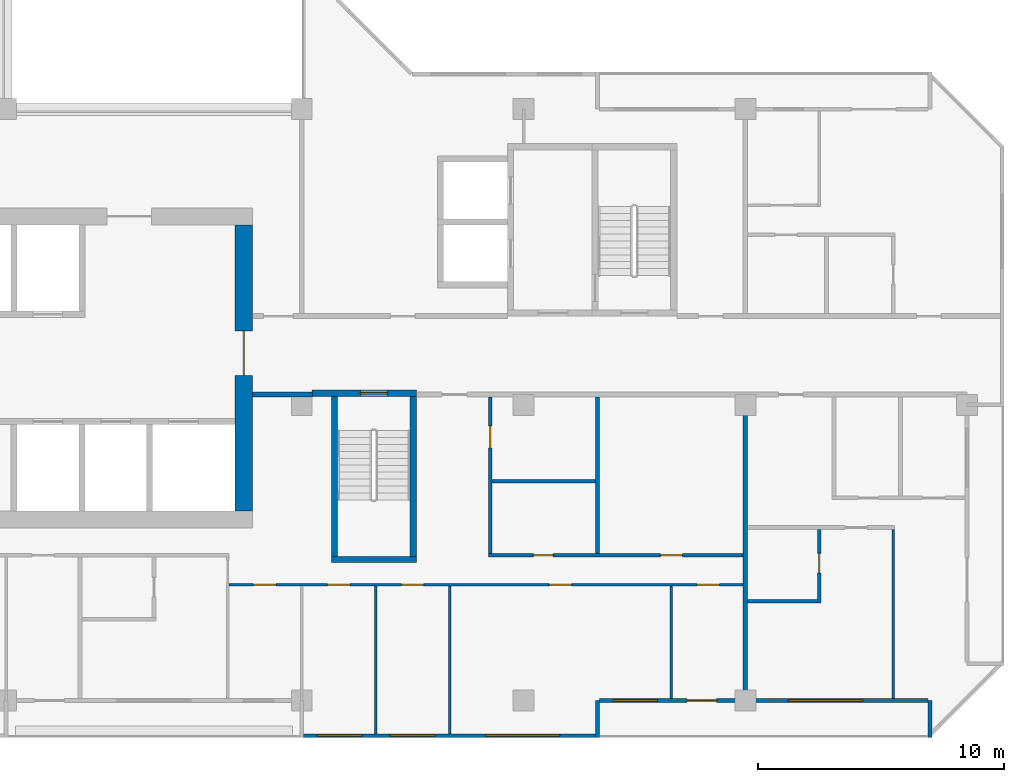
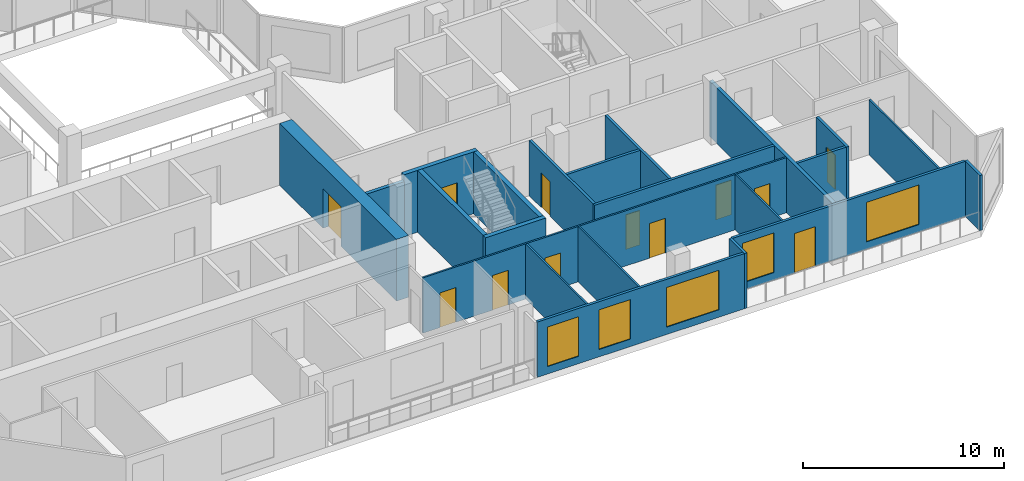
# One storey, part 6 of 14: 22 walls, 12 doors, 5 windows, 17 openings.
"""IFC4 building model written with IfcOpenShell, lengths in metres."""

from ifc_helpers import new_model, si_unit, direction, frame, frame_2d, origin, place, context, subcontext, project, spatial, rectangle, extrude, material, layer, layer_set, type_object, element, fill, save


model = new_model("IFC4")

# Units and contexts
model_context = context("Model", 3, precision=1e-05, world=origin(), true_north=direction((0.0, 1.0)))
body_context = subcontext(model_context, "Body", "Model", "MODEL_VIEW")
ifc_project = project(units=[si_unit("LENGTHUNIT", "METRE"), si_unit("AREAUNIT", "SQUARE_METRE"), si_unit("VOLUMEUNIT", "CUBIC_METRE"), si_unit("PLANEANGLEUNIT", "RADIAN"), si_unit("MASSUNIT", "GRAM", prefix="KILO")], contexts=[model_context])

# Site, building, storey
site_placement = place(None, origin())
site = spatial("IfcSite", under=ifc_project, at=site_placement, CompositionType="ELEMENT")
building_placement = place(site_placement, origin())
building = spatial("IfcBuilding", under=site, at=building_placement, Name="Chenar Terraces", CompositionType="ELEMENT")
storey_placement = place(building_placement, frame((0.0, 0.0, 241.64990234375)))
storey = spatial("IfcBuildingStorey", under=building, at=storey_placement, Name="L57", CompositionType="ELEMENT", Elevation=241.64990234375)

# Wall
ifc_material_1 = material(Name="Concrete C60/75", Category="concrete")
ifc_layer_1 = layer(ifc_material_1, 0.25)
ifc_layer_set_1 = layer_set([ifc_layer_1], Name="Concrete C60/75")
wall_type_1 = type_object("IfcWallType", Name="Core wall 250 Concrete C60/75", PredefinedType="SHEAR", material=ifc_layer_set_1)
wall_1_placement = place(storey_placement, frame((37.199951171875, 5.72509765625, 0.0), z_axis=(0.0, 0.0, 1.0), x_axis=(1.0, 0.0, 0.0)))
element("IfcWall", 1, at=wall_1_placement, inside=storey, type_object=wall_type_1, Name="Core wall ST2_S L57", PredefinedType="SHEAR", context=body_context, shape_type="SweptSolid", body=[
    extrude(rectangle(XDim=3.449951171875, YDim=0.25, at=frame_2d((1.72509765625, 0.0))), origin(), (0.0, 0.0, 1.0), 3.75),
])

# Wall, opening, door
wall_2_placement = place(storey_placement, frame((36.425048828125, 12.47509765625, 0.0), z_axis=(0.0, 0.0, 1.0), x_axis=(1.0, 0.0, 0.0)))
wall_2 = element("IfcWall", 2, at=wall_2_placement, inside=storey, type_object=wall_type_1, Name="Core wall ST2_N L57", PredefinedType="SHEAR", context=body_context, shape_type="SweptSolid", body=[
    extrude(rectangle(XDim=4.224853515625, YDim=0.25, at=frame_2d((2.1123046875, 0.0))), origin(), (0.0, 0.0, 1.0), 3.75),
])
opening_1_placement = place(wall_2_placement, frame((1.949951171875, 0.0, 0.0)))
opening_1 = element("IfcOpeningElement", 3, at=opening_1_placement, cuts=wall_2, Name="Opening DL57-C7", PredefinedType="OPENING", context=body_context, shape_type="SweptSolid", body=[
    extrude(rectangle(XDim=1.10009765625, YDim=2.199951171875, at=frame_2d((0.550048828125, 1.10009765625))), frame((0.0, 0.135009765625, 0.0), z_axis=(0.0, -1.0, 0.0), x_axis=(1.0, 0.0, 0.0)), (0.0, 0.0, 1.0), 0.27001953125),
])
ifc_material_2 = material(Name="Steel-framed fire-resisting door leaf", Category="steel")
door_type_1 = type_object("IfcDoorType", Name="Stair fire door FD60 1100 x 2200", OperationType="SINGLE_SWING_LEFT", PredefinedType="DOOR", material=ifc_material_2)
door_1_placement = place(opening_1_placement, frame((1.10009765625, 0.0, 0.0), z_axis=(0.0, 0.0, 1.0), x_axis=(-1.0, 0.0, 0.0)))
door_1 = element("IfcDoor", 4, at=door_1_placement, inside=storey, type_object=door_type_1, Name="Stair door DL57-C7", OperationType="SINGLE_SWING_LEFT", OverallHeight=2.199951171875, OverallWidth=1.10009765625, PredefinedType="DOOR", context=body_context, shape_type="SweptSolid", body=[
    extrude(rectangle(XDim=1.10009765625, YDim=2.199951171875, at=frame_2d((0.550048828125, 1.10009765625))), frame((0.0, 0.02490234375, 0.0), z_axis=(0.0, -1.0, 0.0), x_axis=(1.0, 0.0, 0.0)), (0.0, 0.0, 1.0), 0.050048828125),
])
fill(opening_1, door_1)

# Walls
for number, where, z_axis, x_axis, name in (
    (5, (37.324951171875, 5.85009765625, 0.0), (0.0, 0.0, 1.0), (0.0, 1.0, 0.0), "Core wall ST2_W L57"),
    (6, (40.52490234375, 5.85009765625, 0.0), (0.0, 0.0, 1.0), (0.0, 1.0, 0.0), "Core wall ST2_E L57"),
):
    element("IfcWall", number, at=place(storey_placement, frame(where, z_axis=z_axis, x_axis=x_axis)), inside=storey, type_object=wall_type_1, Name=name, PredefinedType="SHEAR", context=body_context, shape_type="SweptSolid", body=[
        extrude(rectangle(XDim=6.5, YDim=0.25, at=frame_2d((3.25, 0.0))), origin(), (0.0, 0.0, 1.0), 3.75),
    ])

# Wall, opening, door
ifc_material_3 = material(Name="Concrete C60/75", Category="concrete")
ifc_layer_2 = layer(ifc_material_3, 0.699951171875)
ifc_layer_set_2 = layer_set([ifc_layer_2], Name="Concrete C60/75")
wall_type_2 = type_object("IfcWallType", Name="Core wall 700 Concrete C60/75", PredefinedType="SHEAR", material=ifc_layer_set_2)
wall_3_placement = place(storey_placement, frame((33.64990234375, 7.699951171875, 0.0), z_axis=(0.0, 0.0, 1.0), x_axis=(0.0, 1.0, 0.0)))
wall_3 = element("IfcWall", 7, at=wall_3_placement, inside=storey, type_object=wall_type_2, Name="Core wall E L57", PredefinedType="SHEAR", context=body_context, shape_type="SweptSolid", body=[
    extrude(rectangle(XDim=11.60009765625, YDim=0.699951171875, at=frame_2d((5.800048828125, 0.0))), origin(), (0.0, 0.0, 1.0), 3.75),
])
opening_2_placement = place(wall_3_placement, frame((5.5, 0.0, 0.0)))
opening_2 = element("IfcOpeningElement", 8, at=opening_2_placement, cuts=wall_3, Name="Opening DL57-C1", PredefinedType="OPENING", context=body_context, shape_type="SweptSolid", body=[
    extrude(rectangle(XDim=1.800048828125, YDim=2.39990234375, at=frame_2d((0.89990234375, 1.199951171875))), frame((0.0, 0.35986328125, 0.0), z_axis=(0.0, -1.0, 0.0), x_axis=(1.0, 0.0, 0.0)), (0.0, 0.0, 1.0), 0.719970703125),
])
ifc_material_4 = material(Name="Steel-framed fire-resisting door leaf", Category="steel")
door_type_2 = type_object("IfcDoorType", Name="Core entrance double fire door FD60 1800 x 2400", OperationType="DOUBLE_DOOR_SINGLE_SWING", PredefinedType="DOOR", material=ifc_material_4)
door_2_placement = place(opening_2_placement, origin())
door_2 = element("IfcDoor", 9, at=door_2_placement, inside=storey, type_object=door_type_2, Name="Core door DL57-C1", OperationType="DOUBLE_DOOR_SINGLE_SWING", OverallHeight=2.39990234375, OverallWidth=1.800048828125, PredefinedType="DOOR", context=body_context, shape_type="SweptSolid", body=[
    extrude(rectangle(XDim=1.800048828125, YDim=2.39990234375, at=frame_2d((0.89990234375, 1.199951171875))), frame((0.0, 0.02490234375, 0.0), z_axis=(0.0, -1.0, 0.0), x_axis=(1.0, 0.0, 0.0)), (0.0, 0.0, 1.0), 0.050048828125),
])
fill(opening_2, door_2)

# Wall
ifc_material_5 = material(Name="Gypsum board on steel studs with fire boards", Category="steel")
ifc_layer_3 = layer(ifc_material_5, 0.199951171875)
ifc_layer_set_3 = layer_set([ifc_layer_3], Name="Gypsum board on steel studs with fire boards")
wall_type_3 = type_object("IfcWallType", Name="Corridor wall 200", PredefinedType="PARTITIONING", material=ifc_layer_set_3)
wall_4_placement = place(storey_placement, frame((34.0, 12.425048828125, 0.0), z_axis=(0.0, 0.0, 1.0), x_axis=(1.0, 0.0, 0.0)))
element("IfcWall", 10, at=wall_4_placement, inside=storey, type_object=wall_type_3, Name="Partition L57-065", PredefinedType="PARTITIONING", context=body_context, shape_type="SweptSolid", body=[
    extrude(rectangle(XDim=2.426025390625, YDim=0.199951171875, at=frame_2d((1.212890625, 0.0))), origin(), (0.0, 0.0, 1.0), 3.35009765625),
])

# Wall, openings, windows
ifc_material_6 = material(Name="Aluminium framed glazing", Category="aluminium")
ifc_layer_4 = layer(ifc_material_6, 0.14990234375)
ifc_layer_set_4 = layer_set([ifc_layer_4], Name="Aluminium framed glazing")
wall_type_4 = type_object("IfcWallType", Name="Glazed flush facade wall 150", PredefinedType="SOLIDWALL", material=ifc_layer_set_4)
wall_5_placement = place(storey_placement, frame((36.074951171875, -1.425048828125, 0.0), z_axis=(0.0, 0.0, 1.0), x_axis=(1.0, 0.0, 0.0)))
wall_5 = element("IfcWall", 11, at=wall_5_placement, inside=storey, type_object=wall_type_4, Name="Glazed flush facade wall", PredefinedType="SOLIDWALL", context=body_context, shape_type="SweptSolid", body=[
    extrude(rectangle(XDim=11.85009765625, YDim=0.14990234375, at=frame_2d((5.925048828125, 0.0))), origin(), (0.0, 0.0, 1.0), 3.35009765625),
])
opening_3_placement = place(wall_5_placement, frame((0.5625, 0.0, 0.449951171875)))
opening_3 = element("IfcOpeningElement", 12, at=opening_3_placement, cuts=wall_5, Name="Opening W180x240", PredefinedType="OPENING", context=body_context, shape_type="SweptSolid", body=[
    extrude(rectangle(XDim=1.800048828125, YDim=2.39990234375, at=frame_2d((0.89990234375, 1.199951171875))), frame((0.0, 0.0849609375, 0.0), z_axis=(0.0, -1.0, 0.0), x_axis=(1.0, 0.0, 0.0)), (0.0, 0.0, 1.0), 0.169921875),
])
opening_4_placement = place(wall_5_placement, frame((3.52490234375, 0.0, 0.449951171875)))
opening_4 = element("IfcOpeningElement", 13, at=opening_4_placement, cuts=wall_5, Name="Opening W180x240", PredefinedType="OPENING", context=body_context, shape_type="SweptSolid", body=[
    extrude(rectangle(XDim=1.800048828125, YDim=2.39990234375, at=frame_2d((0.89990234375, 1.199951171875))), frame((0.0, 0.0849609375, 0.0), z_axis=(0.0, -1.0, 0.0), x_axis=(1.0, 0.0, 0.0)), (0.0, 0.0, 1.0), 0.169921875),
])
opening_5_placement = place(wall_5_placement, frame((7.387451171875, 0.0, 0.449951171875)))
opening_5 = element("IfcOpeningElement", 14, at=opening_5_placement, cuts=wall_5, Name="Opening W300x240", PredefinedType="OPENING", context=body_context, shape_type="SweptSolid", body=[
    extrude(rectangle(XDim=3.0, YDim=2.39990234375, at=frame_2d((1.5, 1.199951171875))), frame((0.0, 0.0849609375, 0.0), z_axis=(0.0, -1.0, 0.0), x_axis=(1.0, 0.0, 0.0)), (0.0, 0.0, 1.0), 0.169921875),
])
ifc_material_7 = material(Name="Low emissivity double glazing, aluminium frame", Category="aluminium")
window_type_1 = type_object("IfcWindowType", Name="Fixed light 1800 x 2400", PartitioningType="SINGLE_PANEL", PredefinedType="WINDOW", material=ifc_material_7)
window_1_placement = place(opening_3_placement, origin())
window_1 = element("IfcWindow", 15, at=window_1_placement, inside=storey, type_object=window_type_1, Name="Window", OverallHeight=2.39990234375, OverallWidth=1.800048828125, PartitioningType="SINGLE_PANEL", PredefinedType="WINDOW", context=body_context, shape_type="SweptSolid", body=[
    extrude(rectangle(XDim=1.800048828125, YDim=2.39990234375, at=frame_2d((0.89990234375, 1.199951171875))), frame((0.0, 0.030029296875, 0.0), z_axis=(0.0, -1.0, 0.0), x_axis=(1.0, 0.0, 0.0)), (0.0, 0.0, 1.0), 0.06005859375),
])
fill(opening_3, window_1)
window_2_placement = place(opening_4_placement, origin())
window_2 = element("IfcWindow", 16, at=window_2_placement, inside=storey, type_object=window_type_1, Name="Window", OverallHeight=2.39990234375, OverallWidth=1.800048828125, PartitioningType="SINGLE_PANEL", PredefinedType="WINDOW", context=body_context, shape_type="SweptSolid", body=[
    extrude(rectangle(XDim=1.800048828125, YDim=2.39990234375, at=frame_2d((0.89990234375, 1.199951171875))), frame((0.0, 0.030029296875, 0.0), z_axis=(0.0, -1.0, 0.0), x_axis=(1.0, 0.0, 0.0)), (0.0, 0.0, 1.0), 0.06005859375),
])
fill(opening_4, window_2)
ifc_material_8 = material(Name="Low emissivity double glazing, aluminium frame", Category="aluminium")
window_type_2 = type_object("IfcWindowType", Name="Fixed light 3000 x 2400", PartitioningType="SINGLE_PANEL", PredefinedType="WINDOW", material=ifc_material_8)
window_3_placement = place(opening_5_placement, origin())
window_3 = element("IfcWindow", 17, at=window_3_placement, inside=storey, type_object=window_type_2, Name="Window", OverallHeight=2.39990234375, OverallWidth=3.0, PartitioningType="SINGLE_PANEL", PredefinedType="WINDOW", context=body_context, shape_type="SweptSolid", body=[
    extrude(rectangle(XDim=3.0, YDim=2.39990234375, at=frame_2d((1.5, 1.199951171875))), frame((0.0, 0.030029296875, 0.0), z_axis=(0.0, -1.0, 0.0), x_axis=(1.0, 0.0, 0.0)), (0.0, 0.0, 1.0), 0.06005859375),
])
fill(opening_5, window_3)

# Wall, openings, windows, door
ifc_material_9 = material(Name="Aluminium framed glazing", Category="aluminium")
ifc_layer_5 = layer(ifc_material_9, 0.14990234375)
ifc_layer_set_5 = layer_set([ifc_layer_5], Name="Aluminium framed glazing")
wall_type_5 = type_object("IfcWallType", Name="Glazed loggia back wall 150", PredefinedType="SOLIDWALL", material=ifc_layer_set_5)
wall_6_placement = place(storey_placement, frame((48.074951171875, 0.0, 0.0), z_axis=(0.0, 0.0, 1.0), x_axis=(1.0, 0.0, 0.0)))
wall_6 = element("IfcWall", 18, at=wall_6_placement, inside=storey, type_object=wall_type_5, Name="Glazed loggia back wall", PredefinedType="SOLIDWALL", context=body_context, shape_type="SweptSolid", body=[
    extrude(rectangle(XDim=13.35009765625, YDim=0.14990234375, at=frame_2d((6.675048828125, 0.0))), origin(), (0.0, 0.0, 1.0), 3.35009765625),
])
opening_6_placement = place(wall_6_placement, frame((0.5625, 0.0, 0.449951171875)))
opening_6 = element("IfcOpeningElement", 19, at=opening_6_placement, cuts=wall_6, Name="Opening W180x240", PredefinedType="OPENING", context=body_context, shape_type="SweptSolid", body=[
    extrude(rectangle(XDim=1.800048828125, YDim=2.39990234375, at=frame_2d((0.89990234375, 1.199951171875))), frame((0.0, 0.0849609375, 0.0), z_axis=(0.0, -1.0, 0.0), x_axis=(1.0, 0.0, 0.0)), (0.0, 0.0, 1.0), 0.169921875),
])
opening_7_placement = place(wall_6_placement, frame((3.5625, 0.0, 0.0)))
opening_7 = element("IfcOpeningElement", 20, at=opening_7_placement, cuts=wall_6, Name="Opening DL57-G7", PredefinedType="OPENING", context=body_context, shape_type="SweptSolid", body=[
    extrude(rectangle(XDim=1.199951171875, YDim=2.39990234375, at=frame_2d((0.60009765625, 1.199951171875))), frame((0.0, 0.0849609375, 0.0), z_axis=(0.0, -1.0, 0.0), x_axis=(1.0, 0.0, 0.0)), (0.0, 0.0, 1.0), 0.169921875),
])
opening_8_placement = place(wall_6_placement, frame((7.6875, 0.0, 0.449951171875)))
opening_8 = element("IfcOpeningElement", 21, at=opening_8_placement, cuts=wall_6, Name="Opening W300x240", PredefinedType="OPENING", context=body_context, shape_type="SweptSolid", body=[
    extrude(rectangle(XDim=3.0, YDim=2.39990234375, at=frame_2d((1.5, 1.199951171875))), frame((0.0, 0.0849609375, 0.0), z_axis=(0.0, -1.0, 0.0), x_axis=(1.0, 0.0, 0.0)), (0.0, 0.0, 1.0), 0.169921875),
])
window_4_placement = place(opening_6_placement, origin())
window_4 = element("IfcWindow", 22, at=window_4_placement, inside=storey, type_object=window_type_1, Name="Window", OverallHeight=2.39990234375, OverallWidth=1.800048828125, PartitioningType="SINGLE_PANEL", PredefinedType="WINDOW", context=body_context, shape_type="SweptSolid", body=[
    extrude(rectangle(XDim=1.800048828125, YDim=2.39990234375, at=frame_2d((0.89990234375, 1.199951171875))), frame((0.0, 0.030029296875, 0.0), z_axis=(0.0, -1.0, 0.0), x_axis=(1.0, 0.0, 0.0)), (0.0, 0.0, 1.0), 0.06005859375),
])
fill(opening_6, window_4)
window_5_placement = place(opening_8_placement, origin())
window_5 = element("IfcWindow", 23, at=window_5_placement, inside=storey, type_object=window_type_2, Name="Window", OverallHeight=2.39990234375, OverallWidth=3.0, PartitioningType="SINGLE_PANEL", PredefinedType="WINDOW", context=body_context, shape_type="SweptSolid", body=[
    extrude(rectangle(XDim=3.0, YDim=2.39990234375, at=frame_2d((1.5, 1.199951171875))), frame((0.0, 0.030029296875, 0.0), z_axis=(0.0, -1.0, 0.0), x_axis=(1.0, 0.0, 0.0)), (0.0, 0.0, 1.0), 0.06005859375),
])
fill(opening_8, window_5)
ifc_material_10 = material(Name="Low emissivity double glazing, aluminium frame", Category="aluminium")
door_type_3 = type_object("IfcDoorType", Name="Loggia glazed double door 1200 x 2400", OperationType="DOUBLE_DOOR_SINGLE_SWING", PredefinedType="DOOR", material=ifc_material_10)
door_3_placement = place(opening_7_placement, frame((1.199951171875, 0.0, 0.0), z_axis=(0.0, 0.0, 1.0), x_axis=(-1.0, 0.0, 0.0)))
door_3 = element("IfcDoor", 24, at=door_3_placement, inside=storey, type_object=door_type_3, Name="Loggia glazed door", OperationType="DOUBLE_DOOR_SINGLE_SWING", OverallHeight=2.39990234375, OverallWidth=1.199951171875, PredefinedType="DOOR", context=body_context, shape_type="SweptSolid", body=[
    extrude(rectangle(XDim=1.199951171875, YDim=2.39990234375, at=frame_2d((0.60009765625, 1.199951171875))), frame((0.0, 0.02490234375, 0.0), z_axis=(0.0, -1.0, 0.0), x_axis=(1.0, 0.0, 0.0)), (0.0, 0.0, 1.0), 0.050048828125),
])
fill(opening_7, door_3)

# Wall, openings, doors
ifc_material_11 = material(Name="Gypsum board on steel studs", Category="steel")
ifc_layer_6 = layer(ifc_material_11, 0.10009765625)
ifc_layer_set_6 = layer_set([ifc_layer_6], Name="Gypsum board on steel studs")
wall_type_6 = type_object("IfcWallType", Name="Gypsum partition 100", PredefinedType="PARTITIONING", material=ifc_layer_set_6)
wall_7_placement = place(storey_placement, frame((33.050048828125, 4.699951171875, 0.0), z_axis=(0.0, 0.0, 1.0), x_axis=(1.0, 0.0, 0.0)))
wall_7 = element("IfcWall", 25, at=wall_7_placement, inside=storey, type_object=wall_type_6, Name="Partition L57-064", PredefinedType="PARTITIONING", context=body_context, shape_type="SweptSolid", body=[
    extrude(rectangle(XDim=20.849853515625, YDim=0.10009765625, at=frame_2d((10.4248046875, 0.0))), origin(), (0.0, 0.0, 1.0), 3.35009765625),
])
opening_9_placement = place(wall_7_placement, frame((1.0, 0.0, 0.0)))
opening_9 = element("IfcOpeningElement", 26, at=opening_9_placement, cuts=wall_7, Name="Opening DL57-45", PredefinedType="OPENING", context=body_context, shape_type="SweptSolid", body=[
    extrude(rectangle(XDim=0.89990234375, YDim=2.10009765625, at=frame_2d((0.449951171875, 1.050048828125))), frame((0.0, 0.06005859375, 0.0), z_axis=(0.0, -1.0, 0.0), x_axis=(1.0, 0.0, 0.0)), (0.0, 0.0, 1.0), 0.1201171875),
])
opening_10_placement = place(wall_7_placement, frame((4.0, 0.0, 0.0)))
opening_10 = element("IfcOpeningElement", 27, at=opening_10_placement, cuts=wall_7, Name="Opening DL57-46", PredefinedType="OPENING", context=body_context, shape_type="SweptSolid", body=[
    extrude(rectangle(XDim=0.89990234375, YDim=2.10009765625, at=frame_2d((0.449951171875, 1.050048828125))), frame((0.0, 0.06005859375, 0.0), z_axis=(0.0, -1.0, 0.0), x_axis=(1.0, 0.0, 0.0)), (0.0, 0.0, 1.0), 0.1201171875),
])
opening_11_placement = place(wall_7_placement, frame((7.0, 0.0, 0.0)))
opening_11 = element("IfcOpeningElement", 28, at=opening_11_placement, cuts=wall_7, Name="Opening DL57-47", PredefinedType="OPENING", context=body_context, shape_type="SweptSolid", body=[
    extrude(rectangle(XDim=0.89990234375, YDim=2.10009765625, at=frame_2d((0.449951171875, 1.050048828125))), frame((0.0, 0.06005859375, 0.0), z_axis=(0.0, -1.0, 0.0), x_axis=(1.0, 0.0, 0.0)), (0.0, 0.0, 1.0), 0.1201171875),
])
opening_12_placement = place(wall_7_placement, frame((19.0, 0.0, 0.0)))
opening_12 = element("IfcOpeningElement", 29, at=opening_12_placement, cuts=wall_7, Name="Opening DL57-48", PredefinedType="OPENING", context=body_context, shape_type="SweptSolid", body=[
    extrude(rectangle(XDim=0.89990234375, YDim=2.10009765625, at=frame_2d((0.449951171875, 1.050048828125))), frame((0.0, 0.06005859375, 0.0), z_axis=(0.0, -1.0, 0.0), x_axis=(1.0, 0.0, 0.0)), (0.0, 0.0, 1.0), 0.1201171875),
])
opening_13_placement = place(wall_7_placement, frame((13.0, 0.0, 0.0)))
opening_13 = element("IfcOpeningElement", 30, at=opening_13_placement, cuts=wall_7, Name="Opening DL57-56", PredefinedType="OPENING", context=body_context, shape_type="SweptSolid", body=[
    extrude(rectangle(XDim=0.89990234375, YDim=2.10009765625, at=frame_2d((0.449951171875, 1.050048828125))), frame((0.0, 0.06005859375, 0.0), z_axis=(0.0, -1.0, 0.0), x_axis=(1.0, 0.0, 0.0)), (0.0, 0.0, 1.0), 0.1201171875),
])
ifc_material_12 = material(Name="Veneered timber door leaf", Category="wood")
door_type_4 = type_object("IfcDoorType", Name="Door 900 x 2100", OperationType="SINGLE_SWING_LEFT", PredefinedType="DOOR", material=ifc_material_12)
door_4_placement = place(opening_9_placement, frame((0.89990234375, 0.0, 0.0), z_axis=(0.0, 0.0, 1.0), x_axis=(-1.0, 0.0, 0.0)))
door_4 = element("IfcDoor", 31, at=door_4_placement, inside=storey, type_object=door_type_4, Name="Door DL57-45", OperationType="SINGLE_SWING_LEFT", OverallHeight=2.10009765625, OverallWidth=0.89990234375, PredefinedType="DOOR", context=body_context, shape_type="SweptSolid", body=[
    extrude(rectangle(XDim=0.89990234375, YDim=2.10009765625, at=frame_2d((0.449951171875, 1.050048828125))), frame((0.0, 0.02490234375, 0.0), z_axis=(0.0, -1.0, 0.0), x_axis=(1.0, 0.0, 0.0)), (0.0, 0.0, 1.0), 0.050048828125),
])
fill(opening_9, door_4)
door_5_placement = place(opening_10_placement, frame((0.89990234375, 0.0, 0.0), z_axis=(0.0, 0.0, 1.0), x_axis=(-1.0, 0.0, 0.0)))
door_5 = element("IfcDoor", 32, at=door_5_placement, inside=storey, type_object=door_type_4, Name="Door DL57-46", OperationType="SINGLE_SWING_LEFT", OverallHeight=2.10009765625, OverallWidth=0.89990234375, PredefinedType="DOOR", context=body_context, shape_type="SweptSolid", body=[
    extrude(rectangle(XDim=0.89990234375, YDim=2.10009765625, at=frame_2d((0.449951171875, 1.050048828125))), frame((0.0, 0.02490234375, 0.0), z_axis=(0.0, -1.0, 0.0), x_axis=(1.0, 0.0, 0.0)), (0.0, 0.0, 1.0), 0.050048828125),
])
fill(opening_10, door_5)
door_6_placement = place(opening_11_placement, frame((0.89990234375, 0.0, 0.0), z_axis=(0.0, 0.0, 1.0), x_axis=(-1.0, 0.0, 0.0)))
door_6 = element("IfcDoor", 33, at=door_6_placement, inside=storey, type_object=door_type_4, Name="Door DL57-47", OperationType="SINGLE_SWING_LEFT", OverallHeight=2.10009765625, OverallWidth=0.89990234375, PredefinedType="DOOR", context=body_context, shape_type="SweptSolid", body=[
    extrude(rectangle(XDim=0.89990234375, YDim=2.10009765625, at=frame_2d((0.449951171875, 1.050048828125))), frame((0.0, 0.02490234375, 0.0), z_axis=(0.0, -1.0, 0.0), x_axis=(1.0, 0.0, 0.0)), (0.0, 0.0, 1.0), 0.050048828125),
])
fill(opening_11, door_6)
door_7_placement = place(opening_12_placement, frame((0.89990234375, 0.0, 0.0), z_axis=(0.0, 0.0, 1.0), x_axis=(-1.0, 0.0, 0.0)))
door_7 = element("IfcDoor", 34, at=door_7_placement, inside=storey, type_object=door_type_4, Name="Door DL57-48", OperationType="SINGLE_SWING_LEFT", OverallHeight=2.10009765625, OverallWidth=0.89990234375, PredefinedType="DOOR", context=body_context, shape_type="SweptSolid", body=[
    extrude(rectangle(XDim=0.89990234375, YDim=2.10009765625, at=frame_2d((0.449951171875, 1.050048828125))), frame((0.0, 0.02490234375, 0.0), z_axis=(0.0, -1.0, 0.0), x_axis=(1.0, 0.0, 0.0)), (0.0, 0.0, 1.0), 0.050048828125),
])
fill(opening_12, door_7)
door_8_placement = place(opening_13_placement, frame((0.89990234375, 0.0, 0.0), z_axis=(0.0, 0.0, 1.0), x_axis=(-1.0, 0.0, 0.0)))
door_8 = element("IfcDoor", 35, at=door_8_placement, inside=storey, type_object=door_type_4, Name="Door DL57-56", OperationType="SINGLE_SWING_LEFT", OverallHeight=2.10009765625, OverallWidth=0.89990234375, PredefinedType="DOOR", context=body_context, shape_type="SweptSolid", body=[
    extrude(rectangle(XDim=0.89990234375, YDim=2.10009765625, at=frame_2d((0.449951171875, 1.050048828125))), frame((0.0, 0.02490234375, 0.0), z_axis=(0.0, -1.0, 0.0), x_axis=(1.0, 0.0, 0.0)), (0.0, 0.0, 1.0), 0.050048828125),
])
fill(opening_13, door_8)

# Walls
wall_8_placement = place(storey_placement, frame((39.0, -1.35107421875, 0.0), z_axis=(0.0, 0.0, 1.0), x_axis=(0.0, 1.0, 0.0)))
element("IfcWall", 36, at=wall_8_placement, inside=storey, type_object=wall_type_6, Name="Partition L57-069", PredefinedType="PARTITIONING", context=body_context, shape_type="SweptSolid", body=[
    extrude(rectangle(XDim=6.0009765625, YDim=0.10009765625, at=frame_2d((3.00048828125, 0.0))), origin(), (0.0, 0.0, 1.0), 3.35009765625),
])
wall_9_placement = place(storey_placement, frame((42.0, -1.35009765625, 0.0), z_axis=(0.0, 0.0, 1.0), x_axis=(0.0, 1.0, 0.0)))
element("IfcWall", 37, at=wall_9_placement, inside=storey, type_object=wall_type_6, Name="Partition L57-071", PredefinedType="PARTITIONING", context=body_context, shape_type="SweptSolid", body=[
    extrude(rectangle(XDim=6.0, YDim=0.10009765625, at=frame_2d((3.0, 0.0))), origin(), (0.0, 0.0, 1.0), 3.35009765625),
])
wall_10_placement = place(storey_placement, frame((51.0, 0.073974609375, 0.0), z_axis=(0.0, 0.0, 1.0), x_axis=(0.0, 1.0, 0.0)))
element("IfcWall", 38, at=wall_10_placement, inside=storey, type_object=wall_type_6, Name="Partition L57-077", PredefinedType="PARTITIONING", context=body_context, shape_type="SweptSolid", body=[
    extrude(rectangle(XDim=4.575927734375, YDim=0.10009765625, at=frame_2d((2.2880859375, 0.0))), origin(), (0.0, 0.0, 1.0), 3.35009765625),
])
wall_11_placement = place(storey_placement, frame((60.0, 0.073974609375, 0.0), z_axis=(0.0, 0.0, 1.0), x_axis=(0.0, 1.0, 0.0)))
element("IfcWall", 39, at=wall_11_placement, inside=storey, type_object=wall_type_6, Name="Partition L57-090", PredefinedType="PARTITIONING", context=body_context, shape_type="SweptSolid", body=[
    extrude(rectangle(XDim=6.8759765625, YDim=0.10009765625, at=frame_2d((3.43798828125, 0.0))), origin(), (0.0, 0.0, 1.0), 3.35009765625),
])
ifc_material_13 = material(Name="Terracotta cladding on insulated backing", Category="masonry")
ifc_layer_7 = layer(ifc_material_13, 0.14990234375)
ifc_layer_set_7 = layer_set([ifc_layer_7], Name="Terracotta cladding on insulated backing")
wall_type_7 = type_object("IfcWallType", Name="Loggia return wall 150", PredefinedType="SOLIDWALL", material=ifc_layer_set_7)
for number, where, z_axis, x_axis, name in (
    (40, (48.0, -1.5, 0.0), (0.0, 0.0, 1.0), (0.0, 1.0, 0.0), "Loggia return wall"),
    (41, (61.5, -1.5, 0.0), (0.0, 0.0, 1.0), (0.0, 1.0, 0.0), "Loggia return wall"),
):
    element("IfcWall", number, at=place(storey_placement, frame(where, z_axis=z_axis, x_axis=x_axis)), inside=storey, type_object=wall_type_7, Name=name, PredefinedType="SOLIDWALL", context=body_context, shape_type="SweptSolid", body=[
        extrude(rectangle(XDim=1.5, YDim=0.14990234375, at=frame_2d((0.75, 0.0))), origin(), (0.0, 0.0, 1.0), 3.35009765625),
    ])
ifc_material_14 = material(Name="Twin gypsum board on steel studs with mineral wool", Category="steel")
ifc_layer_8 = layer(ifc_material_14, 0.199951171875)
ifc_layer_set_8 = layer_set([ifc_layer_8], Name="Twin gypsum board on steel studs with mineral wool")
wall_type_8 = type_object("IfcWallType", Name="Unit demising wall 200", PredefinedType="PARTITIONING", material=ifc_layer_set_8)
wall_12_placement = place(storey_placement, frame((54.0, 0.073974609375, 0.0), z_axis=(0.0, 0.0, 1.0), x_axis=(0.0, 1.0, 0.0)))
element("IfcWall", 42, at=wall_12_placement, inside=storey, type_object=wall_type_8, Name="Partition L57-079", PredefinedType="PARTITIONING", context=body_context, shape_type="SweptSolid", body=[
    extrude(rectangle(XDim=12.2509765625, YDim=0.199951171875, at=frame_2d((6.12548828125, 0.0))), origin(), (0.0, 0.0, 1.0), 3.35009765625),
])

# Wall, openings, doors
ifc_material_15 = material(Name="Moisture-resistant gypsum board on steel studs", Category="steel")
ifc_layer_9 = layer(ifc_material_15, 0.14990234375)
ifc_layer_set_9 = layer_set([ifc_layer_9], Name="Moisture-resistant gypsum board on steel studs")
wall_type_9 = type_object("IfcWallType", Name="Wet-room partition 150", PredefinedType="PARTITIONING", material=ifc_layer_set_9)
wall_13_placement = place(storey_placement, frame((43.574951171875, 5.89990234375, 0.0), z_axis=(0.0, 0.0, 1.0), x_axis=(1.0, 0.0, 0.0)))
wall_13 = element("IfcWall", 43, at=wall_13_placement, inside=storey, type_object=wall_type_9, Name="Partition L57-072", PredefinedType="PARTITIONING", context=body_context, shape_type="SweptSolid", body=[
    extrude(rectangle(XDim=10.324951171875, YDim=0.14990234375, at=frame_2d((5.16259765625, 0.0))), origin(), (0.0, 0.0, 1.0), 3.35009765625),
])
opening_14_placement = place(wall_13_placement, frame((1.824951171875, 0.0, 0.0)))
opening_14 = element("IfcOpeningElement", 44, at=opening_14_placement, cuts=wall_13, Name="Opening DL57-42", PredefinedType="OPENING", context=body_context, shape_type="SweptSolid", body=[
    extrude(rectangle(XDim=0.800048828125, YDim=2.10009765625, at=frame_2d((0.39990234375, 1.050048828125))), frame((0.0, 0.0849609375, 0.0), z_axis=(0.0, -1.0, 0.0), x_axis=(1.0, 0.0, 0.0)), (0.0, 0.0, 1.0), 0.169921875),
])
opening_15_placement = place(wall_13_placement, frame((6.97509765625, 0.0, 0.0)))
opening_15 = element("IfcOpeningElement", 45, at=opening_15_placement, cuts=wall_13, Name="Opening DL57-57", PredefinedType="OPENING", context=body_context, shape_type="SweptSolid", body=[
    extrude(rectangle(XDim=0.89990234375, YDim=2.10009765625, at=frame_2d((0.449951171875, 1.050048828125))), frame((0.0, 0.0849609375, 0.0), z_axis=(0.0, -1.0, 0.0), x_axis=(1.0, 0.0, 0.0)), (0.0, 0.0, 1.0), 0.169921875),
])
ifc_material_16 = material(Name="Veneered timber door leaf", Category="wood")
door_type_5 = type_object("IfcDoorType", Name="Door 800 x 2100", OperationType="SINGLE_SWING_LEFT", PredefinedType="DOOR", material=ifc_material_16)
door_9_placement = place(opening_14_placement, origin())
door_9 = element("IfcDoor", 46, at=door_9_placement, inside=storey, type_object=door_type_5, Name="Door DL57-42", OperationType="SINGLE_SWING_RIGHT", OverallHeight=2.10009765625, OverallWidth=0.800048828125, PredefinedType="DOOR", context=body_context, shape_type="SweptSolid", body=[
    extrude(rectangle(XDim=0.800048828125, YDim=2.10009765625, at=frame_2d((0.39990234375, 1.050048828125))), frame((0.0, 0.02490234375, 0.0), z_axis=(0.0, -1.0, 0.0), x_axis=(1.0, 0.0, 0.0)), (0.0, 0.0, 1.0), 0.050048828125),
])
fill(opening_14, door_9)
door_10_placement = place(opening_15_placement, origin())
door_10 = element("IfcDoor", 47, at=door_10_placement, inside=storey, type_object=door_type_4, Name="Door DL57-57", OperationType="SINGLE_SWING_RIGHT", OverallHeight=2.10009765625, OverallWidth=0.89990234375, PredefinedType="DOOR", context=body_context, shape_type="SweptSolid", body=[
    extrude(rectangle(XDim=0.89990234375, YDim=2.10009765625, at=frame_2d((0.449951171875, 1.050048828125))), frame((0.0, 0.02490234375, 0.0), z_axis=(0.0, -1.0, 0.0), x_axis=(1.0, 0.0, 0.0)), (0.0, 0.0, 1.0), 0.050048828125),
])
fill(opening_15, door_10)

# Wall, opening, door
wall_14_placement = place(storey_placement, frame((43.64990234375, 5.97509765625, 0.0), z_axis=(0.0, 0.0, 1.0), x_axis=(0.0, 1.0, 0.0)))
wall_14 = element("IfcWall", 48, at=wall_14_placement, inside=storey, type_object=wall_type_9, Name="Partition L57-073", PredefinedType="PARTITIONING", context=body_context, shape_type="SweptSolid", body=[
    extrude(rectangle(XDim=6.349853515625, YDim=0.14990234375, at=frame_2d((3.1748046875, 0.0))), origin(), (0.0, 0.0, 1.0), 3.35009765625),
])
opening_16_placement = place(wall_14_placement, frame((4.27490234375, 0.0, 0.0)))
opening_16 = element("IfcOpeningElement", 49, at=opening_16_placement, cuts=wall_14, Name="Opening DL57-54", PredefinedType="OPENING", context=body_context, shape_type="SweptSolid", body=[
    extrude(rectangle(XDim=0.89990234375, YDim=2.10009765625, at=frame_2d((0.449951171875, 1.050048828125))), frame((0.0, 0.0849609375, 0.0), z_axis=(0.0, -1.0, 0.0), x_axis=(1.0, 0.0, 0.0)), (0.0, 0.0, 1.0), 0.169921875),
])
door_11_placement = place(opening_16_placement, frame((0.89990234375, 0.0, 0.0), z_axis=(0.0, 0.0, 1.0), x_axis=(-1.0, 0.0, 0.0)))
door_11 = element("IfcDoor", 50, at=door_11_placement, inside=storey, type_object=door_type_4, Name="Door DL57-54", OperationType="SINGLE_SWING_LEFT", OverallHeight=2.10009765625, OverallWidth=0.89990234375, PredefinedType="DOOR", context=body_context, shape_type="SweptSolid", body=[
    extrude(rectangle(XDim=0.89990234375, YDim=2.10009765625, at=frame_2d((0.449951171875, 1.050048828125))), frame((0.0, 0.02490234375, 0.0), z_axis=(0.0, -1.0, 0.0), x_axis=(1.0, 0.0, 0.0)), (0.0, 0.0, 1.0), 0.050048828125),
])
fill(opening_16, door_11)

# Walls
wall_15_placement = place(storey_placement, frame((43.72509765625, 8.89990234375, 0.0), z_axis=(0.0, 0.0, 1.0), x_axis=(1.0, 0.0, 0.0)))
element("IfcWall", 51, at=wall_15_placement, inside=storey, type_object=wall_type_9, Name="Partition L57-074", PredefinedType="PARTITIONING", context=body_context, shape_type="SweptSolid", body=[
    extrude(rectangle(XDim=4.199951171875, YDim=0.14990234375, at=frame_2d((2.10009765625, 0.0))), origin(), (0.0, 0.0, 1.0), 3.35009765625),
])
wall_16_placement = place(storey_placement, frame((48.0, 5.97509765625, 0.0), z_axis=(0.0, 0.0, 1.0), x_axis=(0.0, 1.0, 0.0)))
element("IfcWall", 52, at=wall_16_placement, inside=storey, type_object=wall_type_9, Name="Partition L57-076", PredefinedType="PARTITIONING", context=body_context, shape_type="SweptSolid", body=[
    extrude(rectangle(XDim=6.349853515625, YDim=0.14990234375, at=frame_2d((3.1748046875, 0.0))), origin(), (0.0, 0.0, 1.0), 3.35009765625),
])
wall_17_placement = place(storey_placement, frame((54.10009765625, 4.02490234375, 0.0), z_axis=(0.0, 0.0, 1.0), x_axis=(1.0, 0.0, 0.0)))
element("IfcWall", 53, at=wall_17_placement, inside=storey, type_object=wall_type_9, Name="Partition L57-081", PredefinedType="PARTITIONING", context=body_context, shape_type="SweptSolid", body=[
    extrude(rectangle(XDim=2.824951171875, YDim=0.14990234375, at=frame_2d((1.41259765625, 0.0))), origin(), (0.0, 0.0, 1.0), 3.35009765625),
])

# Wall, opening, door
wall_18_placement = place(storey_placement, frame((57.0, 3.949951171875, 0.0), z_axis=(0.0, 0.0, 1.0), x_axis=(0.0, 1.0, 0.0)))
wall_18 = element("IfcWall", 54, at=wall_18_placement, inside=storey, type_object=wall_type_9, Name="Partition L57-085", PredefinedType="PARTITIONING", context=body_context, shape_type="SweptSolid", body=[
    extrude(rectangle(XDim=3.0, YDim=0.14990234375, at=frame_2d((1.5, 0.0))), origin(), (0.0, 0.0, 1.0), 3.35009765625),
])
opening_17_placement = place(wall_18_placement, frame((1.22509765625, 0.0, 0.0)))
opening_17 = element("IfcOpeningElement", 55, at=opening_17_placement, cuts=wall_18, Name="Opening DL57-10", PredefinedType="OPENING", context=body_context, shape_type="SweptSolid", body=[
    extrude(rectangle(XDim=0.800048828125, YDim=2.10009765625, at=frame_2d((0.39990234375, 1.050048828125))), frame((0.0, 0.0849609375, 0.0), z_axis=(0.0, -1.0, 0.0), x_axis=(1.0, 0.0, 0.0)), (0.0, 0.0, 1.0), 0.169921875),
])
door_12_placement = place(opening_17_placement, origin())
door_12 = element("IfcDoor", 56, at=door_12_placement, inside=storey, type_object=door_type_5, Name="Door DL57-10", OperationType="SINGLE_SWING_RIGHT", OverallHeight=2.10009765625, OverallWidth=0.800048828125, PredefinedType="DOOR", context=body_context, shape_type="SweptSolid", body=[
    extrude(rectangle(XDim=0.800048828125, YDim=2.10009765625, at=frame_2d((0.39990234375, 1.050048828125))), frame((0.0, 0.02490234375, 0.0), z_axis=(0.0, -1.0, 0.0), x_axis=(1.0, 0.0, 0.0)), (0.0, 0.0, 1.0), 0.050048828125),
])
fill(opening_17, door_12)

save(model, "model.ifc")
